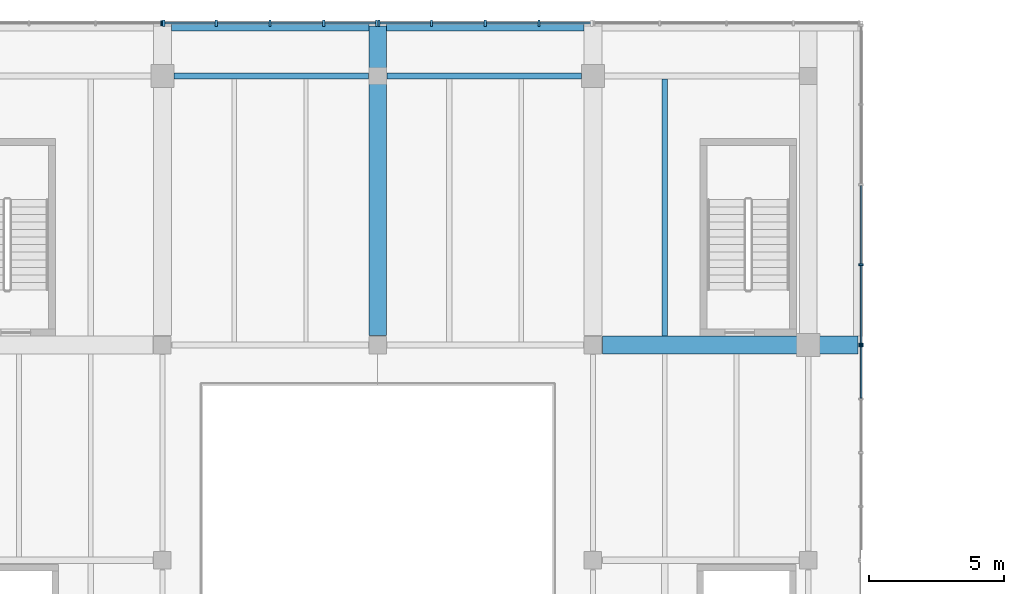
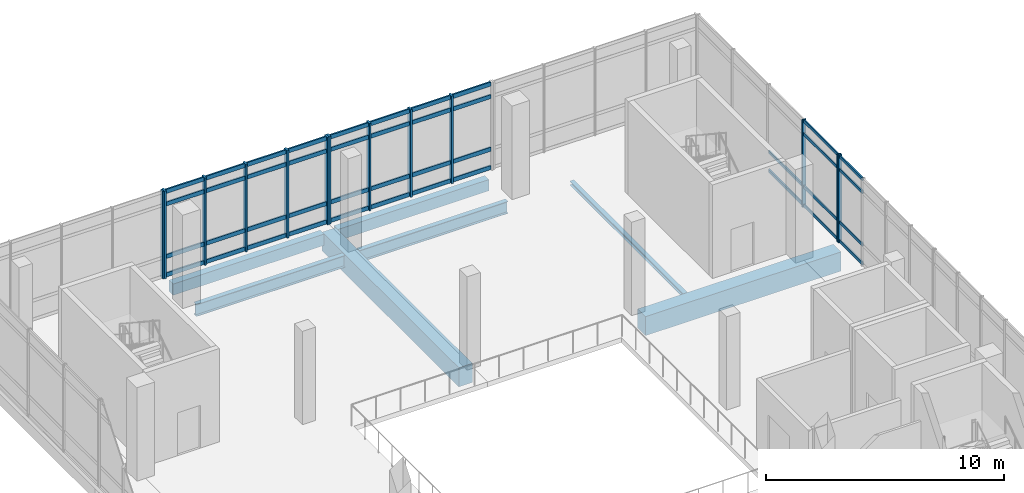
# One storey, part 13 of 28: 55 members, 7 beams, 5 elements without a shape of their own.
"""IFC4 building model written with IfcOpenShell, lengths in metres."""

from ifc_helpers import new_model, si_unit, direction, frame, origin, origin_2d, place, context, subcontext, project, spatial, rectangle, i_section, extrude, material, material_profile, profile_set, type_object, element, aggregate, save


model = new_model("IFC4")

# Units and contexts
model_context = context("Model", 3, precision=1e-05, world=origin(), true_north=direction((0.0, 1.0)))
body_context = subcontext(model_context, "Body", "Model", "MODEL_VIEW")
ifc_project = project(units=[si_unit("LENGTHUNIT", "METRE"), si_unit("AREAUNIT", "SQUARE_METRE"), si_unit("VOLUMEUNIT", "CUBIC_METRE"), si_unit("PLANEANGLEUNIT", "RADIAN"), si_unit("MASSUNIT", "GRAM", prefix="KILO")], contexts=[model_context])

# Site, building, storey
site_placement = place(None, origin())
site = spatial("IfcSite", under=ifc_project, at=site_placement, CompositionType="ELEMENT")
building_placement = place(site_placement, origin())
building = spatial("IfcBuilding", under=site, at=building_placement, Name="Pecanmere Concourse Central Library", CompositionType="ELEMENT")
storey_placement = place(building_placement, frame((0.0, 0.0, 20.10009765625)))
storey = spatial("IfcBuildingStorey", under=building, at=storey_placement, Name="L05", CompositionType="ELEMENT", Elevation=20.10009765625)

# Curtain wall, member
ifc_material_1 = material(Name="Anodized bronze aluminium alloy 6063-T6", Category="aluminium")
curtain_wall_type_1 = type_object("IfcCurtainWallType", Name="CW_PLUMB_BANDED", PredefinedType="USERDEFINED", material=ifc_material_1)
curtain_wall_1_placement = place(storey_placement, origin())
curtain_wall_1 = element("IfcCurtainWall", 1, at=curtain_wall_1_placement, inside=storey, type_object=curtain_wall_type_1, Name="Unitised Curtain Wall CW-02 L05-057", ObjectType="UNITISED CURTAIN WALL", PredefinedType="USERDEFINED")
ifc_material_2 = material(Name="Anodized bronze aluminium alloy 6063-T6", Category="aluminium")
ifc_material_profile_1 = material_profile(ifc_material_2, rectangle(XDim=0.06494140625, YDim=0.179931640625, at=origin_2d()), Name="AL 65x180")
ifc_profile_set_1 = profile_set([ifc_material_profile_1], Name="Anodized bronze aluminium alloy 6063-T6")
member_type_1 = type_object("IfcMemberType", Name="CWM_180x65", PredefinedType="MULLION", material=ifc_profile_set_1)
member_1_placement = place(storey_placement, frame((79.96240234375, 125.96142578125, 0.0), z_axis=(0.0, 0.0, 1.0), x_axis=(-1.0, 0.0, 0.0)))
member_1 = element("IfcMember", 2, at=member_1_placement, type_object=member_type_1, Name="CW-02 Mullion 1", PredefinedType="MULLION", context=body_context, shape_type="SweptSolid", body=[
    extrude(rectangle(XDim=0.06494140625, YDim=0.179931640625, at=origin_2d()), origin(), (0.0, 0.0, 1.0), 4.5),
])
aggregate(curtain_wall_1, [member_1])

curtain_wall_2_placement = place(storey_placement, origin())
curtain_wall_2 = element("IfcCurtainWall", 3, at=curtain_wall_2_placement, inside=storey, type_object=curtain_wall_type_1, Name="Unitised Curtain Wall CW-02 L05-064", ObjectType="UNITISED CURTAIN WALL", PredefinedType="USERDEFINED")
member_2_placement = place(storey_placement, frame((105.96142578125, 113.96240234375, 0.0), z_axis=(0.0, 0.0, 1.0), x_axis=(0.0, 1.0, 0.0)))
member_2 = element("IfcMember", 4, at=member_2_placement, type_object=member_type_1, Name="CW-02 Mullion 5", PredefinedType="MULLION", context=body_context, shape_type="SweptSolid", body=[
    extrude(rectangle(XDim=0.06494140625, YDim=0.179931640625, at=origin_2d()), origin(), (0.0, 0.0, 1.0), 4.5),
])

# Curtain wall, members
curtain_wall_3_placement = place(storey_placement, origin())
curtain_wall_3 = element("IfcCurtainWall", 5, at=curtain_wall_3_placement, inside=storey, type_object=curtain_wall_type_1, Name="Unitised Curtain Wall CW-02 L05-065", ObjectType="UNITISED CURTAIN WALL", PredefinedType="USERDEFINED")
member_3_placement = place(storey_placement, frame((105.96142578125, 114.03759765625, 0.0), z_axis=(0.0, 0.0, 1.0), x_axis=(0.0, 1.0, 0.0)))
member_3 = element("IfcMember", 6, at=member_3_placement, type_object=member_type_1, Name="CW-02 Mullion 1", PredefinedType="MULLION", context=body_context, shape_type="SweptSolid", body=[
    extrude(rectangle(XDim=0.06494140625, YDim=0.179931640625, at=origin_2d()), origin(), (0.0, 0.0, 1.0), 4.5),
])
member_4_placement = place(storey_placement, frame((105.96142578125, 116.984130859375, 0.0), z_axis=(0.0, 0.0, 1.0), x_axis=(0.0, 1.0, 0.0)))
member_4 = element("IfcMember", 7, at=member_4_placement, type_object=member_type_1, Name="CW-02 Mullion 2", PredefinedType="MULLION", context=body_context, shape_type="SweptSolid", body=[
    extrude(rectangle(XDim=0.06494140625, YDim=0.179931640625, at=origin_2d()), origin(), (0.0, 0.0, 1.0), 4.5),
])

ifc_material_3 = material(Name="Anodized bronze aluminium alloy 6063-T6", Category="aluminium")
curtain_wall_type_2 = type_object("IfcCurtainWallType", Name="CW_PORTAL_CLEAR", PredefinedType="USERDEFINED", material=ifc_material_3)
curtain_wall_4_placement = place(storey_placement, origin())
curtain_wall_4 = element("IfcCurtainWall", 8, at=curtain_wall_4_placement, inside=storey, type_object=curtain_wall_type_2, Name="Unitised Curtain Wall CW-03 L05-055", ObjectType="UNITISED CURTAIN WALL", PredefinedType="USERDEFINED")
ifc_material_4 = material(Name="Anodized bronze aluminium alloy 6063-T6", Category="aluminium")
ifc_material_profile_2 = material_profile(ifc_material_4, rectangle(XDim=0.0849609375, YDim=0.239990234375, at=origin_2d()), Name="AL 85x240")
ifc_profile_set_2 = profile_set([ifc_material_profile_2], Name="Anodized bronze aluminium alloy 6063-T6")
member_type_2 = type_object("IfcMemberType", Name="CWM_240x85", PredefinedType="MULLION", material=ifc_profile_set_2)
member_5_placement = place(storey_placement, frame((93.99755859375, 125.96142578125, 0.0), z_axis=(0.0, 0.0, 1.0), x_axis=(-1.0, 0.0, 0.0)))
member_5 = element("IfcMember", 9, at=member_5_placement, type_object=member_type_2, Name="CW-03 Mullion 2", PredefinedType="MULLION", context=body_context, shape_type="SweptSolid", body=[
    extrude(rectangle(XDim=0.0849609375, YDim=0.239990234375, at=origin_2d()), origin(), (0.0, 0.0, 1.0), 4.5),
])
member_6_placement = place(storey_placement, frame((92.0, 125.96142578125, 0.0), z_axis=(0.0, 0.0, 1.0), x_axis=(-1.0, 0.0, 0.0)))
member_6 = element("IfcMember", 10, at=member_6_placement, type_object=member_type_2, Name="CW-03 Mullion 3", PredefinedType="MULLION", context=body_context, shape_type="SweptSolid", body=[
    extrude(rectangle(XDim=0.0849609375, YDim=0.239990234375, at=origin_2d()), origin(), (0.0, 0.0, 1.0), 4.5),
])
member_7_placement = place(storey_placement, frame((90.00244140625, 125.96142578125, 0.0), z_axis=(0.0, 0.0, 1.0), x_axis=(-1.0, 0.0, 0.0)))
member_7 = element("IfcMember", 11, at=member_7_placement, type_object=member_type_2, Name="CW-03 Mullion 4", PredefinedType="MULLION", context=body_context, shape_type="SweptSolid", body=[
    extrude(rectangle(XDim=0.0849609375, YDim=0.239990234375, at=origin_2d()), origin(), (0.0, 0.0, 1.0), 4.5),
])
member_8_placement = place(storey_placement, frame((88.047607421875, 125.96142578125, 0.0), z_axis=(0.0, 0.0, 1.0), x_axis=(-1.0, 0.0, 0.0)))
member_8 = element("IfcMember", 12, at=member_8_placement, type_object=member_type_2, Name="CW-03 Mullion 5", PredefinedType="MULLION", context=body_context, shape_type="SweptSolid", body=[
    extrude(rectangle(XDim=0.0849609375, YDim=0.239990234375, at=origin_2d()), origin(), (0.0, 0.0, 1.0), 4.5),
])

curtain_wall_5_placement = place(storey_placement, origin())
curtain_wall_5 = element("IfcCurtainWall", 13, at=curtain_wall_5_placement, inside=storey, type_object=curtain_wall_type_2, Name="Unitised Curtain Wall CW-03 L05-056", ObjectType="UNITISED CURTAIN WALL", PredefinedType="USERDEFINED")
member_9_placement = place(storey_placement, frame((87.952392578125, 125.96142578125, 0.0), z_axis=(0.0, 0.0, 1.0), x_axis=(-1.0, 0.0, 0.0)))
member_9 = element("IfcMember", 14, at=member_9_placement, type_object=member_type_2, Name="CW-03 Mullion 1", PredefinedType="MULLION", context=body_context, shape_type="SweptSolid", body=[
    extrude(rectangle(XDim=0.0849609375, YDim=0.239990234375, at=origin_2d()), origin(), (0.0, 0.0, 1.0), 4.5),
])
member_10_placement = place(storey_placement, frame((85.99755859375, 125.96142578125, 0.0), z_axis=(0.0, 0.0, 1.0), x_axis=(-1.0, 0.0, 0.0)))
member_10 = element("IfcMember", 15, at=member_10_placement, type_object=member_type_2, Name="CW-03 Mullion 2", PredefinedType="MULLION", context=body_context, shape_type="SweptSolid", body=[
    extrude(rectangle(XDim=0.0849609375, YDim=0.239990234375, at=origin_2d()), origin(), (0.0, 0.0, 1.0), 4.5),
])
member_11_placement = place(storey_placement, frame((84.0, 125.96142578125, 0.0), z_axis=(0.0, 0.0, 1.0), x_axis=(-1.0, 0.0, 0.0)))
member_11 = element("IfcMember", 16, at=member_11_placement, type_object=member_type_2, Name="CW-03 Mullion 3", PredefinedType="MULLION", context=body_context, shape_type="SweptSolid", body=[
    extrude(rectangle(XDim=0.0849609375, YDim=0.239990234375, at=origin_2d()), origin(), (0.0, 0.0, 1.0), 4.5),
])
member_12_placement = place(storey_placement, frame((82.00244140625, 125.96142578125, 0.0), z_axis=(0.0, 0.0, 1.0), x_axis=(-1.0, 0.0, 0.0)))
member_12 = element("IfcMember", 17, at=member_12_placement, type_object=member_type_2, Name="CW-03 Mullion 4", PredefinedType="MULLION", context=body_context, shape_type="SweptSolid", body=[
    extrude(rectangle(XDim=0.0849609375, YDim=0.239990234375, at=origin_2d()), origin(), (0.0, 0.0, 1.0), 4.5),
])
member_13_placement = place(storey_placement, frame((80.047607421875, 125.96142578125, 0.0), z_axis=(0.0, 0.0, 1.0), x_axis=(-1.0, 0.0, 0.0)))
member_13 = element("IfcMember", 18, at=member_13_placement, type_object=member_type_2, Name="CW-03 Mullion 5", PredefinedType="MULLION", context=body_context, shape_type="SweptSolid", body=[
    extrude(rectangle(XDim=0.0849609375, YDim=0.239990234375, at=origin_2d()), origin(), (0.0, 0.0, 1.0), 4.5),
])

# Member
ifc_material_5 = material(Name="Anodized bronze aluminium alloy 6063-T6", Category="aluminium")
ifc_material_profile_3 = material_profile(ifc_material_5, rectangle(XDim=0.06005859375, YDim=0.159912109375, at=origin_2d()), Name="AL 60x160")
ifc_profile_set_3 = profile_set([ifc_material_profile_3], Name="Anodized bronze aluminium alloy 6063-T6")
member_type_3 = type_object("IfcMemberType", Name="CWT_160x60", PredefinedType="USERDEFINED", material=ifc_profile_set_3)
member_14_placement = place(storey_placement, frame((105.96142578125, 112.030029296875, 0.079833984375), z_axis=(0.0, 1.0, 0.0), x_axis=(-1.0, 0.0, 0.0)))
member_14 = element("IfcMember", 19, at=member_14_placement, type_object=member_type_3, Name="CW-02 Transom 4.1", ObjectType="TRANSOM", PredefinedType="USERDEFINED", context=body_context, shape_type="SweptSolid", body=[
    extrude(rectangle(XDim=0.06005859375, YDim=0.159912109375, at=origin_2d()), origin(), (0.0, 0.0, 1.0), 1.89990234375),
])

member_15_placement = place(storey_placement, frame((105.96142578125, 112.030029296875, 1.0498046875), z_axis=(0.0, 1.0, 0.0), x_axis=(-1.0, 0.0, 0.0)))
member_15 = element("IfcMember", 20, at=member_15_placement, type_object=member_type_3, Name="CW-02 Transom 4.2", ObjectType="TRANSOM", PredefinedType="USERDEFINED", context=body_context, shape_type="SweptSolid", body=[
    extrude(rectangle(XDim=0.06005859375, YDim=0.159912109375, at=origin_2d()), origin(), (0.0, 0.0, 1.0), 1.89990234375),
])

member_16_placement = place(storey_placement, frame((105.96142578125, 112.030029296875, 3.75), z_axis=(0.0, 1.0, 0.0), x_axis=(-1.0, 0.0, 0.0)))
member_16 = element("IfcMember", 21, at=member_16_placement, type_object=member_type_3, Name="CW-02 Transom 4.3", ObjectType="TRANSOM", PredefinedType="USERDEFINED", context=body_context, shape_type="SweptSolid", body=[
    extrude(rectangle(XDim=0.06005859375, YDim=0.159912109375, at=origin_2d()), origin(), (0.0, 0.0, 1.0), 1.89990234375),
])

member_17_placement = place(storey_placement, frame((105.96142578125, 112.030029296875, 4.419921875), z_axis=(0.0, 1.0, 0.0), x_axis=(-1.0, 0.0, 0.0)))
member_17 = element("IfcMember", 22, at=member_17_placement, type_object=member_type_3, Name="CW-02 Transom 4.4", ObjectType="TRANSOM", PredefinedType="USERDEFINED", context=body_context, shape_type="SweptSolid", body=[
    extrude(rectangle(XDim=0.06005859375, YDim=0.159912109375, at=origin_2d()), origin(), (0.0, 0.0, 1.0), 1.89990234375),
])

aggregate(curtain_wall_2, [member_2, member_14, member_15, member_16, member_17])

member_18_placement = place(storey_placement, frame((105.96142578125, 114.070068359375, 0.079833984375), z_axis=(0.0, 1.0, 0.0), x_axis=(-1.0, 0.0, 0.0)))
member_18 = element("IfcMember", 23, at=member_18_placement, type_object=member_type_3, Name="CW-02 Transom 1.1", ObjectType="TRANSOM", PredefinedType="USERDEFINED", context=body_context, shape_type="SweptSolid", body=[
    extrude(rectangle(XDim=0.06005859375, YDim=0.159912109375, at=origin_2d()), origin(), (0.0, 0.0, 1.0), 2.881591796875),
])

member_19_placement = place(storey_placement, frame((105.96142578125, 114.070068359375, 1.0498046875), z_axis=(0.0, 1.0, 0.0), x_axis=(-1.0, 0.0, 0.0)))
member_19 = element("IfcMember", 24, at=member_19_placement, type_object=member_type_3, Name="CW-02 Transom 1.2", ObjectType="TRANSOM", PredefinedType="USERDEFINED", context=body_context, shape_type="SweptSolid", body=[
    extrude(rectangle(XDim=0.06005859375, YDim=0.159912109375, at=origin_2d()), origin(), (0.0, 0.0, 1.0), 2.881591796875),
])

member_20_placement = place(storey_placement, frame((105.96142578125, 114.070068359375, 3.75), z_axis=(0.0, 1.0, 0.0), x_axis=(-1.0, 0.0, 0.0)))
member_20 = element("IfcMember", 25, at=member_20_placement, type_object=member_type_3, Name="CW-02 Transom 1.3", ObjectType="TRANSOM", PredefinedType="USERDEFINED", context=body_context, shape_type="SweptSolid", body=[
    extrude(rectangle(XDim=0.06005859375, YDim=0.159912109375, at=origin_2d()), origin(), (0.0, 0.0, 1.0), 2.881591796875),
])

member_21_placement = place(storey_placement, frame((105.96142578125, 114.070068359375, 4.419921875), z_axis=(0.0, 1.0, 0.0), x_axis=(-1.0, 0.0, 0.0)))
member_21 = element("IfcMember", 26, at=member_21_placement, type_object=member_type_3, Name="CW-02 Transom 1.4", ObjectType="TRANSOM", PredefinedType="USERDEFINED", context=body_context, shape_type="SweptSolid", body=[
    extrude(rectangle(XDim=0.06005859375, YDim=0.159912109375, at=origin_2d()), origin(), (0.0, 0.0, 1.0), 2.881591796875),
])

member_22_placement = place(storey_placement, frame((105.96142578125, 117.0166015625, 0.079833984375), z_axis=(0.0, 1.0, 0.0), x_axis=(-1.0, 0.0, 0.0)))
member_22 = element("IfcMember", 27, at=member_22_placement, type_object=member_type_3, Name="CW-02 Transom 2.1", ObjectType="TRANSOM", PredefinedType="USERDEFINED", context=body_context, shape_type="SweptSolid", body=[
    extrude(rectangle(XDim=0.06005859375, YDim=0.159912109375, at=origin_2d()), origin(), (0.0, 0.0, 1.0), 2.9140625),
])

member_23_placement = place(storey_placement, frame((105.96142578125, 117.0166015625, 1.0498046875), z_axis=(0.0, 1.0, 0.0), x_axis=(-1.0, 0.0, 0.0)))
member_23 = element("IfcMember", 28, at=member_23_placement, type_object=member_type_3, Name="CW-02 Transom 2.2", ObjectType="TRANSOM", PredefinedType="USERDEFINED", context=body_context, shape_type="SweptSolid", body=[
    extrude(rectangle(XDim=0.06005859375, YDim=0.159912109375, at=origin_2d()), origin(), (0.0, 0.0, 1.0), 2.9140625),
])

aggregate(curtain_wall_3, [member_3, member_4, member_18, member_19, member_20, member_21, member_22, member_23])

ifc_material_6 = material(Name="Anodized bronze aluminium alloy 6063-T6", Category="aluminium")
ifc_material_profile_4 = material_profile(ifc_material_6, rectangle(XDim=0.074951171875, YDim=0.2099609375, at=origin_2d()), Name="AL 75x210")
ifc_profile_set_4 = profile_set([ifc_material_profile_4], Name="Anodized bronze aluminium alloy 6063-T6")
member_type_4 = type_object("IfcMemberType", Name="CWT_210x75", PredefinedType="USERDEFINED", material=ifc_profile_set_4)
member_24_placement = place(storey_placement, frame((95.909912109375, 125.96142578125, 0.10498046875), z_axis=(-1.0, 0.0, 0.0), x_axis=(0.0, -1.0, 0.0)))
member_24 = element("IfcMember", 29, at=member_24_placement, type_object=member_type_4, Name="CW-03 Transom 1.1", ObjectType="TRANSOM", PredefinedType="USERDEFINED", context=body_context, shape_type="SweptSolid", body=[
    extrude(rectangle(XDim=0.074951171875, YDim=0.2099609375, at=origin_2d()), origin(), (0.0, 0.0, 1.0), 1.869873046875),
])

member_25_placement = place(storey_placement, frame((95.909912109375, 125.96142578125, 1.0498046875), z_axis=(-1.0, 0.0, 0.0), x_axis=(0.0, -1.0, 0.0)))
member_25 = element("IfcMember", 30, at=member_25_placement, type_object=member_type_4, Name="CW-03 Transom 1.2", ObjectType="TRANSOM", PredefinedType="USERDEFINED", context=body_context, shape_type="SweptSolid", body=[
    extrude(rectangle(XDim=0.074951171875, YDim=0.2099609375, at=origin_2d()), origin(), (0.0, 0.0, 1.0), 1.869873046875),
])

member_26_placement = place(storey_placement, frame((95.909912109375, 125.96142578125, 3.75), z_axis=(-1.0, 0.0, 0.0), x_axis=(0.0, -1.0, 0.0)))
member_26 = element("IfcMember", 31, at=member_26_placement, type_object=member_type_4, Name="CW-03 Transom 1.3", ObjectType="TRANSOM", PredefinedType="USERDEFINED", context=body_context, shape_type="SweptSolid", body=[
    extrude(rectangle(XDim=0.074951171875, YDim=0.2099609375, at=origin_2d()), origin(), (0.0, 0.0, 1.0), 1.869873046875),
])

member_27_placement = place(storey_placement, frame((95.909912109375, 125.96142578125, 4.39501953125), z_axis=(-1.0, 0.0, 0.0), x_axis=(0.0, -1.0, 0.0)))
member_27 = element("IfcMember", 32, at=member_27_placement, type_object=member_type_4, Name="CW-03 Transom 1.4", ObjectType="TRANSOM", PredefinedType="USERDEFINED", context=body_context, shape_type="SweptSolid", body=[
    extrude(rectangle(XDim=0.074951171875, YDim=0.2099609375, at=origin_2d()), origin(), (0.0, 0.0, 1.0), 1.869873046875),
])

member_28_placement = place(storey_placement, frame((93.955078125, 125.96142578125, 0.10498046875), z_axis=(-1.0, 0.0, 0.0), x_axis=(0.0, -1.0, 0.0)))
member_28 = element("IfcMember", 33, at=member_28_placement, type_object=member_type_4, Name="CW-03 Transom 2.1", ObjectType="TRANSOM", PredefinedType="USERDEFINED", context=body_context, shape_type="SweptSolid", body=[
    extrude(rectangle(XDim=0.074951171875, YDim=0.2099609375, at=origin_2d()), origin(), (0.0, 0.0, 1.0), 1.91259765625),
])

member_29_placement = place(storey_placement, frame((93.955078125, 125.96142578125, 1.0498046875), z_axis=(-1.0, 0.0, 0.0), x_axis=(0.0, -1.0, 0.0)))
member_29 = element("IfcMember", 34, at=member_29_placement, type_object=member_type_4, Name="CW-03 Transom 2.2", ObjectType="TRANSOM", PredefinedType="USERDEFINED", context=body_context, shape_type="SweptSolid", body=[
    extrude(rectangle(XDim=0.074951171875, YDim=0.2099609375, at=origin_2d()), origin(), (0.0, 0.0, 1.0), 1.91259765625),
])

member_30_placement = place(storey_placement, frame((93.955078125, 125.96142578125, 3.75), z_axis=(-1.0, 0.0, 0.0), x_axis=(0.0, -1.0, 0.0)))
member_30 = element("IfcMember", 35, at=member_30_placement, type_object=member_type_4, Name="CW-03 Transom 2.3", ObjectType="TRANSOM", PredefinedType="USERDEFINED", context=body_context, shape_type="SweptSolid", body=[
    extrude(rectangle(XDim=0.074951171875, YDim=0.2099609375, at=origin_2d()), origin(), (0.0, 0.0, 1.0), 1.91259765625),
])

member_31_placement = place(storey_placement, frame((93.955078125, 125.96142578125, 4.39501953125), z_axis=(-1.0, 0.0, 0.0), x_axis=(0.0, -1.0, 0.0)))
member_31 = element("IfcMember", 36, at=member_31_placement, type_object=member_type_4, Name="CW-03 Transom 2.4", ObjectType="TRANSOM", PredefinedType="USERDEFINED", context=body_context, shape_type="SweptSolid", body=[
    extrude(rectangle(XDim=0.074951171875, YDim=0.2099609375, at=origin_2d()), origin(), (0.0, 0.0, 1.0), 1.91259765625),
])

member_32_placement = place(storey_placement, frame((91.95751953125, 125.96142578125, 0.10498046875), z_axis=(-1.0, 0.0, 0.0), x_axis=(0.0, -1.0, 0.0)))
member_32 = element("IfcMember", 37, at=member_32_placement, type_object=member_type_4, Name="CW-03 Transom 3.1", ObjectType="TRANSOM", PredefinedType="USERDEFINED", context=body_context, shape_type="SweptSolid", body=[
    extrude(rectangle(XDim=0.074951171875, YDim=0.2099609375, at=origin_2d()), origin(), (0.0, 0.0, 1.0), 1.91259765625),
])

member_33_placement = place(storey_placement, frame((91.95751953125, 125.96142578125, 1.0498046875), z_axis=(-1.0, 0.0, 0.0), x_axis=(0.0, -1.0, 0.0)))
member_33 = element("IfcMember", 38, at=member_33_placement, type_object=member_type_4, Name="CW-03 Transom 3.2", ObjectType="TRANSOM", PredefinedType="USERDEFINED", context=body_context, shape_type="SweptSolid", body=[
    extrude(rectangle(XDim=0.074951171875, YDim=0.2099609375, at=origin_2d()), origin(), (0.0, 0.0, 1.0), 1.91259765625),
])

member_34_placement = place(storey_placement, frame((91.95751953125, 125.96142578125, 3.75), z_axis=(-1.0, 0.0, 0.0), x_axis=(0.0, -1.0, 0.0)))
member_34 = element("IfcMember", 39, at=member_34_placement, type_object=member_type_4, Name="CW-03 Transom 3.3", ObjectType="TRANSOM", PredefinedType="USERDEFINED", context=body_context, shape_type="SweptSolid", body=[
    extrude(rectangle(XDim=0.074951171875, YDim=0.2099609375, at=origin_2d()), origin(), (0.0, 0.0, 1.0), 1.91259765625),
])

member_35_placement = place(storey_placement, frame((91.95751953125, 125.96142578125, 4.39501953125), z_axis=(-1.0, 0.0, 0.0), x_axis=(0.0, -1.0, 0.0)))
member_35 = element("IfcMember", 40, at=member_35_placement, type_object=member_type_4, Name="CW-03 Transom 3.4", ObjectType="TRANSOM", PredefinedType="USERDEFINED", context=body_context, shape_type="SweptSolid", body=[
    extrude(rectangle(XDim=0.074951171875, YDim=0.2099609375, at=origin_2d()), origin(), (0.0, 0.0, 1.0), 1.91259765625),
])

member_36_placement = place(storey_placement, frame((89.9599609375, 125.96142578125, 0.10498046875), z_axis=(-1.0, 0.0, 0.0), x_axis=(0.0, -1.0, 0.0)))
member_36 = element("IfcMember", 41, at=member_36_placement, type_object=member_type_4, Name="CW-03 Transom 4.1", ObjectType="TRANSOM", PredefinedType="USERDEFINED", context=body_context, shape_type="SweptSolid", body=[
    extrude(rectangle(XDim=0.074951171875, YDim=0.2099609375, at=origin_2d()), origin(), (0.0, 0.0, 1.0), 1.869873046875),
])

member_37_placement = place(storey_placement, frame((89.9599609375, 125.96142578125, 1.0498046875), z_axis=(-1.0, 0.0, 0.0), x_axis=(0.0, -1.0, 0.0)))
member_37 = element("IfcMember", 42, at=member_37_placement, type_object=member_type_4, Name="CW-03 Transom 4.2", ObjectType="TRANSOM", PredefinedType="USERDEFINED", context=body_context, shape_type="SweptSolid", body=[
    extrude(rectangle(XDim=0.074951171875, YDim=0.2099609375, at=origin_2d()), origin(), (0.0, 0.0, 1.0), 1.869873046875),
])

member_38_placement = place(storey_placement, frame((89.9599609375, 125.96142578125, 3.75), z_axis=(-1.0, 0.0, 0.0), x_axis=(0.0, -1.0, 0.0)))
member_38 = element("IfcMember", 43, at=member_38_placement, type_object=member_type_4, Name="CW-03 Transom 4.3", ObjectType="TRANSOM", PredefinedType="USERDEFINED", context=body_context, shape_type="SweptSolid", body=[
    extrude(rectangle(XDim=0.074951171875, YDim=0.2099609375, at=origin_2d()), origin(), (0.0, 0.0, 1.0), 1.869873046875),
])

member_39_placement = place(storey_placement, frame((89.9599609375, 125.96142578125, 4.39501953125), z_axis=(-1.0, 0.0, 0.0), x_axis=(0.0, -1.0, 0.0)))
member_39 = element("IfcMember", 44, at=member_39_placement, type_object=member_type_4, Name="CW-03 Transom 4.4", ObjectType="TRANSOM", PredefinedType="USERDEFINED", context=body_context, shape_type="SweptSolid", body=[
    extrude(rectangle(XDim=0.074951171875, YDim=0.2099609375, at=origin_2d()), origin(), (0.0, 0.0, 1.0), 1.869873046875),
])

aggregate(curtain_wall_4, [member_5, member_6, member_7, member_8, member_24, member_25, member_26, member_27, member_28, member_29, member_30, member_31, member_32, member_33, member_34, member_35, member_36, member_37, member_38, member_39])

member_40_placement = place(storey_placement, frame((87.909912109375, 125.96142578125, 0.10498046875), z_axis=(-1.0, 0.0, 0.0), x_axis=(0.0, -1.0, 0.0)))
member_40 = element("IfcMember", 45, at=member_40_placement, type_object=member_type_4, Name="CW-03 Transom 1.1", ObjectType="TRANSOM", PredefinedType="USERDEFINED", context=body_context, shape_type="SweptSolid", body=[
    extrude(rectangle(XDim=0.074951171875, YDim=0.2099609375, at=origin_2d()), origin(), (0.0, 0.0, 1.0), 1.869873046875),
])

member_41_placement = place(storey_placement, frame((87.909912109375, 125.96142578125, 1.0498046875), z_axis=(-1.0, 0.0, 0.0), x_axis=(0.0, -1.0, 0.0)))
member_41 = element("IfcMember", 46, at=member_41_placement, type_object=member_type_4, Name="CW-03 Transom 1.2", ObjectType="TRANSOM", PredefinedType="USERDEFINED", context=body_context, shape_type="SweptSolid", body=[
    extrude(rectangle(XDim=0.074951171875, YDim=0.2099609375, at=origin_2d()), origin(), (0.0, 0.0, 1.0), 1.869873046875),
])

member_42_placement = place(storey_placement, frame((87.909912109375, 125.96142578125, 3.75), z_axis=(-1.0, 0.0, 0.0), x_axis=(0.0, -1.0, 0.0)))
member_42 = element("IfcMember", 47, at=member_42_placement, type_object=member_type_4, Name="CW-03 Transom 1.3", ObjectType="TRANSOM", PredefinedType="USERDEFINED", context=body_context, shape_type="SweptSolid", body=[
    extrude(rectangle(XDim=0.074951171875, YDim=0.2099609375, at=origin_2d()), origin(), (0.0, 0.0, 1.0), 1.869873046875),
])

member_43_placement = place(storey_placement, frame((87.909912109375, 125.96142578125, 4.39501953125), z_axis=(-1.0, 0.0, 0.0), x_axis=(0.0, -1.0, 0.0)))
member_43 = element("IfcMember", 48, at=member_43_placement, type_object=member_type_4, Name="CW-03 Transom 1.4", ObjectType="TRANSOM", PredefinedType="USERDEFINED", context=body_context, shape_type="SweptSolid", body=[
    extrude(rectangle(XDim=0.074951171875, YDim=0.2099609375, at=origin_2d()), origin(), (0.0, 0.0, 1.0), 1.869873046875),
])

member_44_placement = place(storey_placement, frame((85.955078125, 125.96142578125, 0.10498046875), z_axis=(-1.0, 0.0, 0.0), x_axis=(0.0, -1.0, 0.0)))
member_44 = element("IfcMember", 49, at=member_44_placement, type_object=member_type_4, Name="CW-03 Transom 2.1", ObjectType="TRANSOM", PredefinedType="USERDEFINED", context=body_context, shape_type="SweptSolid", body=[
    extrude(rectangle(XDim=0.074951171875, YDim=0.2099609375, at=origin_2d()), origin(), (0.0, 0.0, 1.0), 1.91259765625),
])

member_45_placement = place(storey_placement, frame((85.955078125, 125.96142578125, 1.0498046875), z_axis=(-1.0, 0.0, 0.0), x_axis=(0.0, -1.0, 0.0)))
member_45 = element("IfcMember", 50, at=member_45_placement, type_object=member_type_4, Name="CW-03 Transom 2.2", ObjectType="TRANSOM", PredefinedType="USERDEFINED", context=body_context, shape_type="SweptSolid", body=[
    extrude(rectangle(XDim=0.074951171875, YDim=0.2099609375, at=origin_2d()), origin(), (0.0, 0.0, 1.0), 1.91259765625),
])

member_46_placement = place(storey_placement, frame((85.955078125, 125.96142578125, 3.75), z_axis=(-1.0, 0.0, 0.0), x_axis=(0.0, -1.0, 0.0)))
member_46 = element("IfcMember", 51, at=member_46_placement, type_object=member_type_4, Name="CW-03 Transom 2.3", ObjectType="TRANSOM", PredefinedType="USERDEFINED", context=body_context, shape_type="SweptSolid", body=[
    extrude(rectangle(XDim=0.074951171875, YDim=0.2099609375, at=origin_2d()), origin(), (0.0, 0.0, 1.0), 1.91259765625),
])

member_47_placement = place(storey_placement, frame((85.955078125, 125.96142578125, 4.39501953125), z_axis=(-1.0, 0.0, 0.0), x_axis=(0.0, -1.0, 0.0)))
member_47 = element("IfcMember", 52, at=member_47_placement, type_object=member_type_4, Name="CW-03 Transom 2.4", ObjectType="TRANSOM", PredefinedType="USERDEFINED", context=body_context, shape_type="SweptSolid", body=[
    extrude(rectangle(XDim=0.074951171875, YDim=0.2099609375, at=origin_2d()), origin(), (0.0, 0.0, 1.0), 1.91259765625),
])

member_48_placement = place(storey_placement, frame((83.95751953125, 125.96142578125, 0.10498046875), z_axis=(-1.0, 0.0, 0.0), x_axis=(0.0, -1.0, 0.0)))
member_48 = element("IfcMember", 53, at=member_48_placement, type_object=member_type_4, Name="CW-03 Transom 3.1", ObjectType="TRANSOM", PredefinedType="USERDEFINED", context=body_context, shape_type="SweptSolid", body=[
    extrude(rectangle(XDim=0.074951171875, YDim=0.2099609375, at=origin_2d()), origin(), (0.0, 0.0, 1.0), 1.91259765625),
])

member_49_placement = place(storey_placement, frame((83.95751953125, 125.96142578125, 1.0498046875), z_axis=(-1.0, 0.0, 0.0), x_axis=(0.0, -1.0, 0.0)))
member_49 = element("IfcMember", 54, at=member_49_placement, type_object=member_type_4, Name="CW-03 Transom 3.2", ObjectType="TRANSOM", PredefinedType="USERDEFINED", context=body_context, shape_type="SweptSolid", body=[
    extrude(rectangle(XDim=0.074951171875, YDim=0.2099609375, at=origin_2d()), origin(), (0.0, 0.0, 1.0), 1.91259765625),
])

member_50_placement = place(storey_placement, frame((83.95751953125, 125.96142578125, 3.75), z_axis=(-1.0, 0.0, 0.0), x_axis=(0.0, -1.0, 0.0)))
member_50 = element("IfcMember", 55, at=member_50_placement, type_object=member_type_4, Name="CW-03 Transom 3.3", ObjectType="TRANSOM", PredefinedType="USERDEFINED", context=body_context, shape_type="SweptSolid", body=[
    extrude(rectangle(XDim=0.074951171875, YDim=0.2099609375, at=origin_2d()), origin(), (0.0, 0.0, 1.0), 1.91259765625),
])

member_51_placement = place(storey_placement, frame((83.95751953125, 125.96142578125, 4.39501953125), z_axis=(-1.0, 0.0, 0.0), x_axis=(0.0, -1.0, 0.0)))
member_51 = element("IfcMember", 56, at=member_51_placement, type_object=member_type_4, Name="CW-03 Transom 3.4", ObjectType="TRANSOM", PredefinedType="USERDEFINED", context=body_context, shape_type="SweptSolid", body=[
    extrude(rectangle(XDim=0.074951171875, YDim=0.2099609375, at=origin_2d()), origin(), (0.0, 0.0, 1.0), 1.91259765625),
])

member_52_placement = place(storey_placement, frame((81.9599609375, 125.96142578125, 0.10498046875), z_axis=(-1.0, 0.0, 0.0), x_axis=(0.0, -1.0, 0.0)))
member_52 = element("IfcMember", 57, at=member_52_placement, type_object=member_type_4, Name="CW-03 Transom 4.1", ObjectType="TRANSOM", PredefinedType="USERDEFINED", context=body_context, shape_type="SweptSolid", body=[
    extrude(rectangle(XDim=0.074951171875, YDim=0.2099609375, at=origin_2d()), origin(), (0.0, 0.0, 1.0), 1.869873046875),
])

member_53_placement = place(storey_placement, frame((81.9599609375, 125.96142578125, 1.0498046875), z_axis=(-1.0, 0.0, 0.0), x_axis=(0.0, -1.0, 0.0)))
member_53 = element("IfcMember", 58, at=member_53_placement, type_object=member_type_4, Name="CW-03 Transom 4.2", ObjectType="TRANSOM", PredefinedType="USERDEFINED", context=body_context, shape_type="SweptSolid", body=[
    extrude(rectangle(XDim=0.074951171875, YDim=0.2099609375, at=origin_2d()), origin(), (0.0, 0.0, 1.0), 1.869873046875),
])

member_54_placement = place(storey_placement, frame((81.9599609375, 125.96142578125, 3.75), z_axis=(-1.0, 0.0, 0.0), x_axis=(0.0, -1.0, 0.0)))
member_54 = element("IfcMember", 59, at=member_54_placement, type_object=member_type_4, Name="CW-03 Transom 4.3", ObjectType="TRANSOM", PredefinedType="USERDEFINED", context=body_context, shape_type="SweptSolid", body=[
    extrude(rectangle(XDim=0.074951171875, YDim=0.2099609375, at=origin_2d()), origin(), (0.0, 0.0, 1.0), 1.869873046875),
])

member_55_placement = place(storey_placement, frame((81.9599609375, 125.96142578125, 4.39501953125), z_axis=(-1.0, 0.0, 0.0), x_axis=(0.0, -1.0, 0.0)))
member_55 = element("IfcMember", 60, at=member_55_placement, type_object=member_type_4, Name="CW-03 Transom 4.4", ObjectType="TRANSOM", PredefinedType="USERDEFINED", context=body_context, shape_type="SweptSolid", body=[
    extrude(rectangle(XDim=0.074951171875, YDim=0.2099609375, at=origin_2d()), origin(), (0.0, 0.0, 1.0), 1.869873046875),
])

aggregate(curtain_wall_5, [member_9, member_10, member_11, member_12, member_13, member_40, member_41, member_42, member_43, member_44, member_45, member_46, member_47, member_48, member_49, member_50, member_51, member_52, member_53, member_54, member_55])

# Beams
ifc_material_7 = material(Name="Concrete C40/50", Category="concrete")
ifc_material_profile_5 = material_profile(ifc_material_7, rectangle(XDim=0.659912109375, YDim=0.97998046875, at=origin_2d()), Name="RC 660x980")
ifc_profile_set_5 = profile_set([ifc_material_profile_5], Name="Concrete C40/50")
beam_type_1 = type_object("IfcBeamType", Name="GRD_660x980", PredefinedType="USERDEFINED", material=ifc_profile_set_5)
beam_1_placement = place(storey_placement, frame((96.35009765625, 114.0, -0.77001953125), z_axis=(1.0, 0.0, 0.0), x_axis=(0.0, 1.0, 0.0)))
element("IfcBeam", 61, at=beam_1_placement, inside=storey, type_object=beam_type_1, Name="Primary Girder X L05-2479", ObjectType="GIRDER", PredefinedType="USERDEFINED", context=body_context, shape_type="SweptSolid", body=[
    extrude(rectangle(XDim=0.659912109375, YDim=0.97998046875, at=origin_2d()), origin(), (0.0, 0.0, 1.0), 9.50146484375),
])
beam_2_placement = place(storey_placement, frame((88.0, 114.35009765625, -0.77001953125), z_axis=(0.0, 1.0, 0.0), x_axis=(-1.0, 0.0, 0.0)))
element("IfcBeam", 62, at=beam_2_placement, inside=storey, type_object=beam_type_1, Name="Primary Girder Y L05-2514", ObjectType="GIRDER", PredefinedType="USERDEFINED", context=body_context, shape_type="SweptSolid", body=[
    extrude(rectangle(XDim=0.659912109375, YDim=0.97998046875, at=origin_2d()), origin(), (0.0, 0.0, 1.0), 11.50146484375),
])
ifc_material_8 = material(Name="Structural steel ASTM A992 Grade 50", Category="steel")
ifc_material_profile_6 = material_profile(ifc_material_8, i_section(OverallWidth=0.2041015625, OverallDepth=0.2060546875, WebThickness=0.0078125, FlangeThickness=0.0126953125, at=origin_2d()), Name="W200x52")
ifc_profile_set_6 = profile_set([ifc_material_profile_6], Name="Structural steel ASTM A992 Grade 50")
beam_type_2 = type_object("IfcBeamType", Name="SBM_W200x52", PredefinedType="JOIST", material=ifc_profile_set_6)
beam_3_placement = place(storey_placement, frame((98.666748046875, 114.330078125, -0.383056640625), z_axis=(0.0, 1.0, 0.0), x_axis=(-1.0, 0.0, 0.0)))
element("IfcBeam", 63, at=beam_3_placement, inside=storey, type_object=beam_type_2, Name="Secondary Floor Joist L05-2597", PredefinedType="JOIST", context=body_context, shape_type="SweptSolid", body=[
    extrude(i_section(OverallWidth=0.2041015625, OverallDepth=0.2060546875, WebThickness=0.0078125, FlangeThickness=0.0126953125, at=origin_2d()), origin(), (0.0, 0.0, 1.0), 9.554931640625),
])
ifc_material_9 = material(Name="Structural steel ASTM A992 Grade 50", Category="steel")
ifc_material_profile_7 = material_profile(ifc_material_9, i_section(OverallWidth=0.22998046875, OverallDepth=0.616943359375, WebThickness=0.01318359375, FlangeThickness=0.022216796875, at=origin_2d()), Name="W610x140")
ifc_profile_set_7 = profile_set([ifc_material_profile_7], Name="Structural steel ASTM A992 Grade 50")
beam_type_3 = type_object("IfcBeamType", Name="SBM_W610x140", PredefinedType="USERDEFINED", material=ifc_profile_set_7)
for number, where, z_axis, x_axis, name in (
    (64, (80.429931640625, 124.0, -0.588623046875), (1.0, 0.0, 0.0), (0.0, 1.0, 0.0), "Primary Girder X L05-2481"),
    (65, (88.35009765625, 124.0, -0.588623046875), (1.0, 0.0, 0.0), (0.0, 1.0, 0.0), "Primary Girder X L05-2482"),
):
    element("IfcBeam", number, at=place(storey_placement, frame(where, z_axis=z_axis, x_axis=x_axis)), inside=storey, type_object=beam_type_3, Name=name, ObjectType="GIRDER", PredefinedType="USERDEFINED", context=body_context, shape_type="SweptSolid", body=[
        extrude(i_section(OverallWidth=0.22998046875, OverallDepth=0.616943359375, WebThickness=0.01318359375, FlangeThickness=0.022216796875, at=origin_2d()), origin(), (0.0, 0.0, 1.0), 7.219970703125),
    ])
ifc_material_10 = material(Name="Concrete C40/50", Category="concrete")
ifc_material_profile_8 = material_profile(ifc_material_10, rectangle(XDim=0.340087890625, YDim=0.580078125, at=origin_2d()), Name="RC 340x580")
ifc_profile_set_8 = profile_set([ifc_material_profile_8], Name="Concrete C40/50")
beam_type_4 = type_object("IfcBeamType", Name="SPB_340x580", PredefinedType="BEAM", material=ifc_profile_set_8)
for number, where, z_axis, x_axis, name in (
    (66, (80.330078125, 125.8515625, -0.570068359375), (1.0, 0.0, 0.0), (0.0, 1.0, 0.0), "Leaning Facade Edge Beam L05-2549"),
    (67, (88.330078125, 125.8515625, -0.570068359375), (1.0, 0.0, 0.0), (0.0, 1.0, 0.0), "Leaning Facade Edge Beam L05-2550"),
):
    element("IfcBeam", number, at=place(storey_placement, frame(where, z_axis=z_axis, x_axis=x_axis)), inside=storey, type_object=beam_type_4, Name=name, PredefinedType="BEAM", context=body_context, shape_type="SweptSolid", body=[
        extrude(rectangle(XDim=0.340087890625, YDim=0.580078125, at=origin_2d()), origin(), (0.0, 0.0, 1.0), 7.33984375),
    ])

save(model, "model.ifc")
